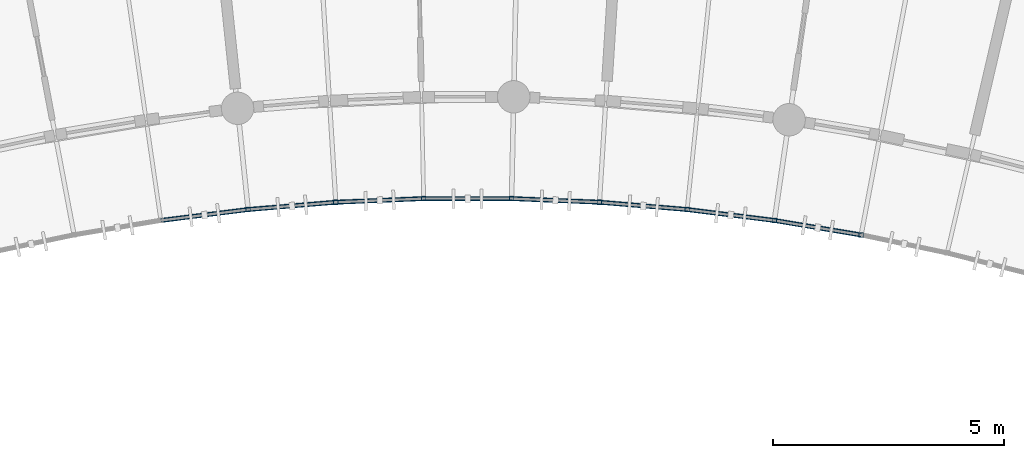
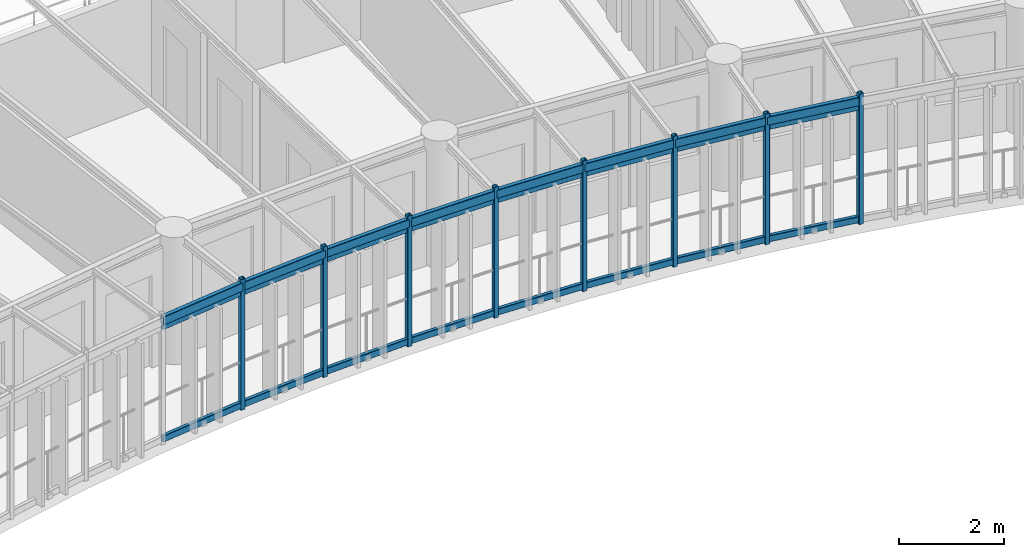
# One storey, part 49 of 137: 24 members, 8 beams.
"""IFC4 building model written with IfcOpenShell, lengths in metres."""

from ifc_helpers import new_model, si_unit, direction, frame, origin, origin_2d, place, context, subcontext, project, spatial, hollow_rectangle, extrude, material, material_profile, profile_set, type_object, element, save


model = new_model("IFC4")

# Units and contexts
model_context = context("Model", 3, precision=1e-05, world=origin(), true_north=direction((0.0, 1.0)))
body_context = subcontext(model_context, "Body", "Model", "MODEL_VIEW")
ifc_project = project(units=[si_unit("LENGTHUNIT", "METRE"), si_unit("AREAUNIT", "SQUARE_METRE"), si_unit("VOLUMEUNIT", "CUBIC_METRE"), si_unit("PLANEANGLEUNIT", "RADIAN"), si_unit("MASSUNIT", "GRAM", prefix="KILO"), si_unit("POWERUNIT", "WATT"), si_unit("THERMODYNAMICTEMPERATUREUNIT", "KELVIN")], contexts=[model_context])

# Site, building, storey
site_placement = place(None, origin())
site = spatial("IfcSite", under=ifc_project, at=site_placement, CompositionType="ELEMENT")
building_placement = place(site_placement, origin())
building = spatial("IfcBuilding", under=site, at=building_placement, Name="Ruvembo Vaulted Housing Court", CompositionType="ELEMENT")
storey_placement = place(building_placement, frame((0.0, 0.0, 4.5)))
storey = spatial("IfcBuildingStorey", under=building, at=storey_placement, Name="L01", CompositionType="ELEMENT", Elevation=4.5)

# Beams
ifc_material = material(Name="Steel S355J2", Category="steel")
ifc_material_profile_1 = material_profile(ifc_material, hollow_rectangle(XDim=0.10009765625, YDim=0.199951171875, WallThickness=0.008056640625, InnerFilletRadius=0.008056640625, OuterFilletRadius=0.01611328125, at=origin_2d()), Name="RHS 200x100x8")
ifc_profile_set_1 = profile_set([ifc_material_profile_1], Name="Steel S355J2")
beam_type = type_object("IfcBeamType", Name="BM-ST-RHS200", PredefinedType="SPANDREL", material=ifc_profile_set_1)
for number, where, z_axis, x_axis, name in (
    (1, (110.369140625, 95.3173828125, 2.840087890625), (0.992244255502, 0.124303408739, 0.0), (-0.124303408739, 0.992244255502, 0.0), "Scoop SC3 L01 Balcony Edge Spandrel 11"),
    (2, (112.255615234375, 95.5537109375, 2.840087890625), (0.99656344911, 0.082832915551, 0.0), (-0.082832915551, 0.99656344911, 0.0), "Scoop SC3 L01 Balcony Edge Spandrel 12"),
    (3, (114.150146484375, 95.711181640625, 2.840087890625), (0.999139293915, 0.041480975827, 0.0), (-0.041480975827, 0.999139293915, 0.0), "Scoop SC3 L01 Balcony Edge Spandrel 13"),
):
    element("IfcBeam", number, at=place(storey_placement, frame(where, z_axis=z_axis, x_axis=x_axis)), inside=storey, type_object=beam_type, Name=name, PredefinedType="SPANDREL", context=body_context, shape_type="SweptSolid", body=[
        extrude(hollow_rectangle(XDim=0.10009765625, YDim=0.199951171875, WallThickness=0.008056640625, InnerFilletRadius=0.008056640625, OuterFilletRadius=0.01611328125, at=origin_2d()), origin(), (0.0, 0.0, 1.0), 1.901123046875),
    ])
beam_1_placement = place(storey_placement, frame((116.049560546875, 95.7900390625, 2.840087890625), z_axis=(1.0, 0.0, 0.0), x_axis=(0.0, 1.0, 0.0)))
element("IfcBeam", 4, at=beam_1_placement, inside=storey, type_object=beam_type, Name="Scoop SC3 L01 Balcony Edge Spandrel 14", PredefinedType="SPANDREL", context=body_context, shape_type="SweptSolid", body=[
    extrude(hollow_rectangle(XDim=0.10009765625, YDim=0.199951171875, WallThickness=0.008056640625, InnerFilletRadius=0.008056640625, OuterFilletRadius=0.01611328125, at=origin_2d()), origin(), (0.0, 0.0, 1.0), 1.90087890625),
])
for number, where, z_axis, x_axis, name in (
    (5, (117.950439453125, 95.7900390625, 2.840087890625), (0.999139293915, -0.041480975827, 0.0), (0.041480975827, 0.999139293915, 0.0), "Scoop SC3 L01 Balcony Edge Spandrel 15"),
    (6, (119.849853515625, 95.711181640625, 2.840087890625), (0.99656344911, -0.082832915551, 0.0), (0.082832915551, 0.99656344911, 0.0), "Scoop SC3 L01 Balcony Edge Spandrel 16"),
    (7, (121.744384765625, 95.5537109375, 2.840087890625), (0.992244255502, -0.124303408739, 0.0), (0.124303408739, 0.992244255502, 0.0), "Scoop SC3 L01 Balcony Edge Spandrel 17"),
):
    element("IfcBeam", number, at=place(storey_placement, frame(where, z_axis=z_axis, x_axis=x_axis)), inside=storey, type_object=beam_type, Name=name, PredefinedType="SPANDREL", context=body_context, shape_type="SweptSolid", body=[
        extrude(hollow_rectangle(XDim=0.10009765625, YDim=0.199951171875, WallThickness=0.008056640625, InnerFilletRadius=0.008056640625, OuterFilletRadius=0.01611328125, at=origin_2d()), origin(), (0.0, 0.0, 1.0), 1.901123046875),
    ])
beam_2_placement = place(storey_placement, frame((123.630859375, 95.3173828125, 2.840087890625), z_axis=(0.986265186139, -0.165169557153, 0.0), x_axis=(0.165169557153, 0.986265186139, 0.0)))
element("IfcBeam", 8, at=beam_2_placement, inside=storey, type_object=beam_type, Name="Scoop SC3 L01 Balcony Edge Spandrel 18", PredefinedType="SPANDREL", context=body_context, shape_type="SweptSolid", body=[
    extrude(hollow_rectangle(XDim=0.10009765625, YDim=0.199951171875, WallThickness=0.008056640625, InnerFilletRadius=0.008056640625, OuterFilletRadius=0.01611328125, at=origin_2d()), origin(), (0.0, 0.0, 1.0), 1.90087890625),
])

# Members
ifc_material_profile_2 = material_profile(ifc_material, hollow_rectangle(XDim=0.06005859375, YDim=0.1201171875, WallThickness=0.0048828125, InnerFilletRadius=0.0048828125, OuterFilletRadius=0.010009765625, at=origin_2d()), Name="RHS 120x60x5")
ifc_profile_set_2 = profile_set([ifc_material_profile_2], Name="Steel S355J2")
member_type_1 = type_object("IfcMemberType", Name="MEM-CAR-RHS120", PredefinedType="CHORD", material=ifc_profile_set_2)
for number, where, z_axis, x_axis, name in (
    (9, (110.369140625, 95.3173828125, 2.68310546875), (0.992244255502, 0.124303408739, 0.0), (-0.124303408739, 0.992244255502, 0.0), "Scoop SC3 L01 Upper Louvre Carrier Rail 11"),
    (10, (112.255615234375, 95.5537109375, 2.68310546875), (0.99656344911, 0.082832915551, 0.0), (-0.082832915551, 0.99656344911, 0.0), "Scoop SC3 L01 Upper Louvre Carrier Rail 12"),
    (11, (114.150146484375, 95.711181640625, 2.68310546875), (0.999139293915, 0.041480975827, 0.0), (-0.041480975827, 0.999139293915, 0.0), "Scoop SC3 L01 Upper Louvre Carrier Rail 13"),
):
    element("IfcMember", number, at=place(storey_placement, frame(where, z_axis=z_axis, x_axis=x_axis)), inside=storey, type_object=member_type_1, Name=name, PredefinedType="CHORD", context=body_context, shape_type="SweptSolid", body=[
        extrude(hollow_rectangle(XDim=0.06005859375, YDim=0.1201171875, WallThickness=0.0048828125, InnerFilletRadius=0.0048828125, OuterFilletRadius=0.010009765625, at=origin_2d()), origin(), (0.0, 0.0, 1.0), 1.901123046875),
    ])
member_1_placement = place(storey_placement, frame((116.049560546875, 95.7900390625, 2.68310546875), z_axis=(1.0, 0.0, 0.0), x_axis=(0.0, 1.0, 0.0)))
element("IfcMember", 12, at=member_1_placement, inside=storey, type_object=member_type_1, Name="Scoop SC3 L01 Upper Louvre Carrier Rail 14", PredefinedType="CHORD", context=body_context, shape_type="SweptSolid", body=[
    extrude(hollow_rectangle(XDim=0.06005859375, YDim=0.1201171875, WallThickness=0.0048828125, InnerFilletRadius=0.0048828125, OuterFilletRadius=0.010009765625, at=origin_2d()), origin(), (0.0, 0.0, 1.0), 1.90087890625),
])
for number, where, z_axis, x_axis, name in (
    (13, (117.950439453125, 95.7900390625, 2.68310546875), (0.999139293915, -0.041480975827, 0.0), (0.041480975827, 0.999139293915, 0.0), "Scoop SC3 L01 Upper Louvre Carrier Rail 15"),
    (14, (119.849853515625, 95.711181640625, 2.68310546875), (0.99656344911, -0.082832915551, 0.0), (0.082832915551, 0.99656344911, 0.0), "Scoop SC3 L01 Upper Louvre Carrier Rail 16"),
    (15, (121.744384765625, 95.5537109375, 2.68310546875), (0.992244255502, -0.124303408739, 0.0), (0.124303408739, 0.992244255502, 0.0), "Scoop SC3 L01 Upper Louvre Carrier Rail 17"),
):
    element("IfcMember", number, at=place(storey_placement, frame(where, z_axis=z_axis, x_axis=x_axis)), inside=storey, type_object=member_type_1, Name=name, PredefinedType="CHORD", context=body_context, shape_type="SweptSolid", body=[
        extrude(hollow_rectangle(XDim=0.06005859375, YDim=0.1201171875, WallThickness=0.0048828125, InnerFilletRadius=0.0048828125, OuterFilletRadius=0.010009765625, at=origin_2d()), origin(), (0.0, 0.0, 1.0), 1.901123046875),
    ])
member_2_placement = place(storey_placement, frame((123.630859375, 95.3173828125, 2.68310546875), z_axis=(0.986265186139, -0.165169557153, 0.0), x_axis=(0.165169557153, 0.986265186139, 0.0)))
element("IfcMember", 16, at=member_2_placement, inside=storey, type_object=member_type_1, Name="Scoop SC3 L01 Upper Louvre Carrier Rail 18", PredefinedType="CHORD", context=body_context, shape_type="SweptSolid", body=[
    extrude(hollow_rectangle(XDim=0.06005859375, YDim=0.1201171875, WallThickness=0.0048828125, InnerFilletRadius=0.0048828125, OuterFilletRadius=0.010009765625, at=origin_2d()), origin(), (0.0, 0.0, 1.0), 1.90087890625),
])
ifc_material_profile_3 = material_profile(ifc_material, hollow_rectangle(XDim=0.080078125, YDim=0.14990234375, WallThickness=0.00634765625, InnerFilletRadius=0.00634765625, OuterFilletRadius=0.0126953125, at=origin_2d()), Name="RHS 150x80x6.3")
ifc_profile_set_3 = profile_set([ifc_material_profile_3], Name="Steel S355J2")
member_type_2 = type_object("IfcMemberType", Name="MEM-CAR-RHS150", PredefinedType="CHORD", material=ifc_profile_set_3)
for number, where, z_axis, x_axis, name in (
    (17, (110.369140625, 95.3173828125, 0.094970703125), (0.992244255502, 0.124303408739, 0.0), (-0.124303408739, 0.992244255502, 0.0), "Scoop SC3 L01 Lower Louvre Carrier Rail 11"),
    (18, (112.255615234375, 95.5537109375, 0.094970703125), (0.99656344911, 0.082832915551, 0.0), (-0.082832915551, 0.99656344911, 0.0), "Scoop SC3 L01 Lower Louvre Carrier Rail 12"),
    (19, (114.150146484375, 95.711181640625, 0.094970703125), (0.999139293915, 0.041480975827, 0.0), (-0.041480975827, 0.999139293915, 0.0), "Scoop SC3 L01 Lower Louvre Carrier Rail 13"),
):
    element("IfcMember", number, at=place(storey_placement, frame(where, z_axis=z_axis, x_axis=x_axis)), inside=storey, type_object=member_type_2, Name=name, PredefinedType="CHORD", context=body_context, shape_type="SweptSolid", body=[
        extrude(hollow_rectangle(XDim=0.080078125, YDim=0.14990234375, WallThickness=0.00634765625, InnerFilletRadius=0.00634765625, OuterFilletRadius=0.0126953125, at=origin_2d()), origin(), (0.0, 0.0, 1.0), 1.901123046875),
    ])
member_3_placement = place(storey_placement, frame((116.049560546875, 95.7900390625, 0.094970703125), z_axis=(1.0, 0.0, 0.0), x_axis=(0.0, 1.0, 0.0)))
element("IfcMember", 20, at=member_3_placement, inside=storey, type_object=member_type_2, Name="Scoop SC3 L01 Lower Louvre Carrier Rail 14", PredefinedType="CHORD", context=body_context, shape_type="SweptSolid", body=[
    extrude(hollow_rectangle(XDim=0.080078125, YDim=0.14990234375, WallThickness=0.00634765625, InnerFilletRadius=0.00634765625, OuterFilletRadius=0.0126953125, at=origin_2d()), origin(), (0.0, 0.0, 1.0), 1.90087890625),
])
for number, where, z_axis, x_axis, name in (
    (21, (117.950439453125, 95.7900390625, 0.094970703125), (0.999139293915, -0.041480975827, 0.0), (0.041480975827, 0.999139293915, 0.0), "Scoop SC3 L01 Lower Louvre Carrier Rail 15"),
    (22, (119.849853515625, 95.711181640625, 0.094970703125), (0.99656344911, -0.082832915551, 0.0), (0.082832915551, 0.99656344911, 0.0), "Scoop SC3 L01 Lower Louvre Carrier Rail 16"),
    (23, (121.744384765625, 95.5537109375, 0.094970703125), (0.992244255502, -0.124303408739, 0.0), (0.124303408739, 0.992244255502, 0.0), "Scoop SC3 L01 Lower Louvre Carrier Rail 17"),
):
    element("IfcMember", number, at=place(storey_placement, frame(where, z_axis=z_axis, x_axis=x_axis)), inside=storey, type_object=member_type_2, Name=name, PredefinedType="CHORD", context=body_context, shape_type="SweptSolid", body=[
        extrude(hollow_rectangle(XDim=0.080078125, YDim=0.14990234375, WallThickness=0.00634765625, InnerFilletRadius=0.00634765625, OuterFilletRadius=0.0126953125, at=origin_2d()), origin(), (0.0, 0.0, 1.0), 1.901123046875),
    ])
member_4_placement = place(storey_placement, frame((123.630859375, 95.3173828125, 0.094970703125), z_axis=(0.986265186139, -0.165169557153, 0.0), x_axis=(0.165169557153, 0.986265186139, 0.0)))
element("IfcMember", 24, at=member_4_placement, inside=storey, type_object=member_type_2, Name="Scoop SC3 L01 Lower Louvre Carrier Rail 18", PredefinedType="CHORD", context=body_context, shape_type="SweptSolid", body=[
    extrude(hollow_rectangle(XDim=0.080078125, YDim=0.14990234375, WallThickness=0.00634765625, InnerFilletRadius=0.00634765625, OuterFilletRadius=0.0126953125, at=origin_2d()), origin(), (0.0, 0.0, 1.0), 1.90087890625),
])
ifc_material_profile_4 = material_profile(ifc_material, hollow_rectangle(XDim=0.10009765625, YDim=0.10009765625, WallThickness=0.00634765625, InnerFilletRadius=0.00634765625, OuterFilletRadius=0.0126953125, at=origin_2d()), Name="SHS 100x100x6.3")
ifc_profile_set_4 = profile_set([ifc_material_profile_4], Name="Steel S355J2")
member_type_3 = type_object("IfcMemberType", Name="MEM-FRM-SHS100", PredefinedType="STRUT", material=ifc_profile_set_4)
for number, where, z_axis, x_axis, name in (
    (25, (112.255615234375, 95.5537109375, -0.014892578125), (0.0, 0.0, 1.0), (1.0, 0.0, 0.0), "Scoop SC3 L01 Louvre Frame Post 12"),
    (26, (114.150146484375, 95.711181640625, -0.014892578125), (0.0, 0.0, 1.0), (1.0, 0.0, 0.0), "Scoop SC3 L01 Louvre Frame Post 13"),
    (27, (116.049560546875, 95.7900390625, -0.014892578125), (0.0, 0.0, 1.0), (1.0, 0.0, 0.0), "Scoop SC3 L01 Louvre Frame Post 14"),
    (28, (117.950439453125, 95.7900390625, -0.014892578125), (0.0, 0.0, 1.0), (1.0, 0.0, 0.0), "Scoop SC3 L01 Louvre Frame Post 15"),
    (29, (119.849853515625, 95.711181640625, -0.014892578125), (0.0, 0.0, 1.0), (1.0, 0.0, 0.0), "Scoop SC3 L01 Louvre Frame Post 16"),
    (30, (121.744384765625, 95.5537109375, -0.014892578125), (0.0, 0.0, 1.0), (1.0, 0.0, 0.0), "Scoop SC3 L01 Louvre Frame Post 17"),
    (31, (123.630859375, 95.3173828125, -0.014892578125), (0.0, 0.0, 1.0), (1.0, 0.0, 0.0), "Scoop SC3 L01 Louvre Frame Post 18"),
    (32, (125.505615234375, 95.00341796875, -0.014892578125), (0.0, 0.0, 1.0), (1.0, 0.0, 0.0), "Scoop SC3 L01 Louvre Frame Post 19"),
):
    element("IfcMember", number, at=place(storey_placement, frame(where, z_axis=z_axis, x_axis=x_axis)), inside=storey, type_object=member_type_3, Name=name, PredefinedType="STRUT", context=body_context, shape_type="SweptSolid", body=[
        extrude(hollow_rectangle(XDim=0.10009765625, YDim=0.10009765625, WallThickness=0.00634765625, InnerFilletRadius=0.00634765625, OuterFilletRadius=0.0126953125, at=origin_2d()), origin(), (0.0, 0.0, 1.0), 3.032958984375),
    ])

save(model, "model.ifc")
